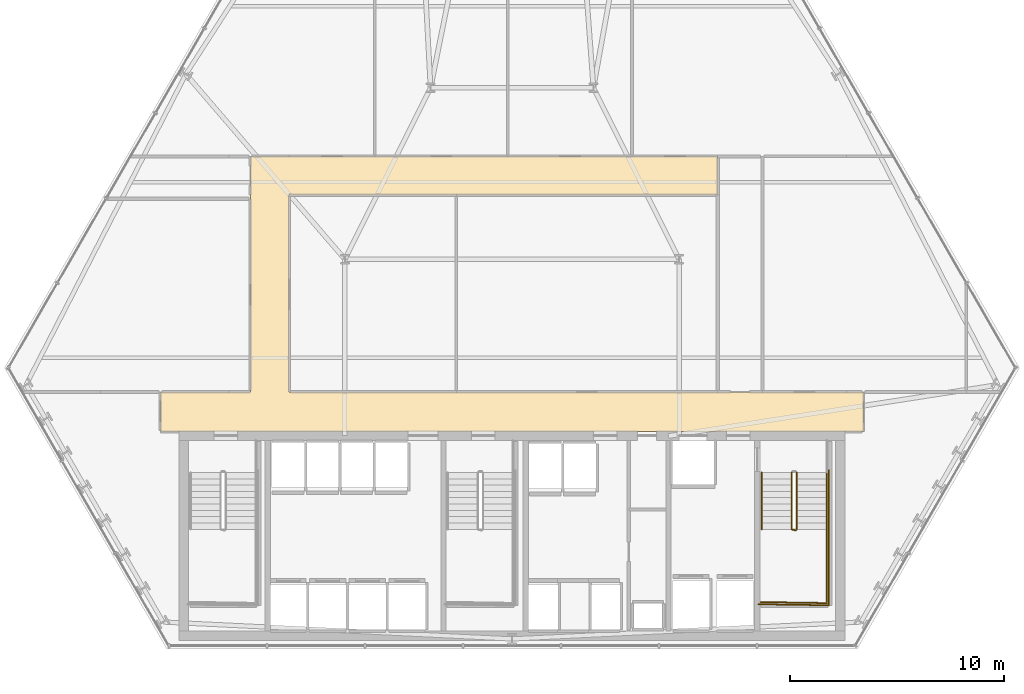
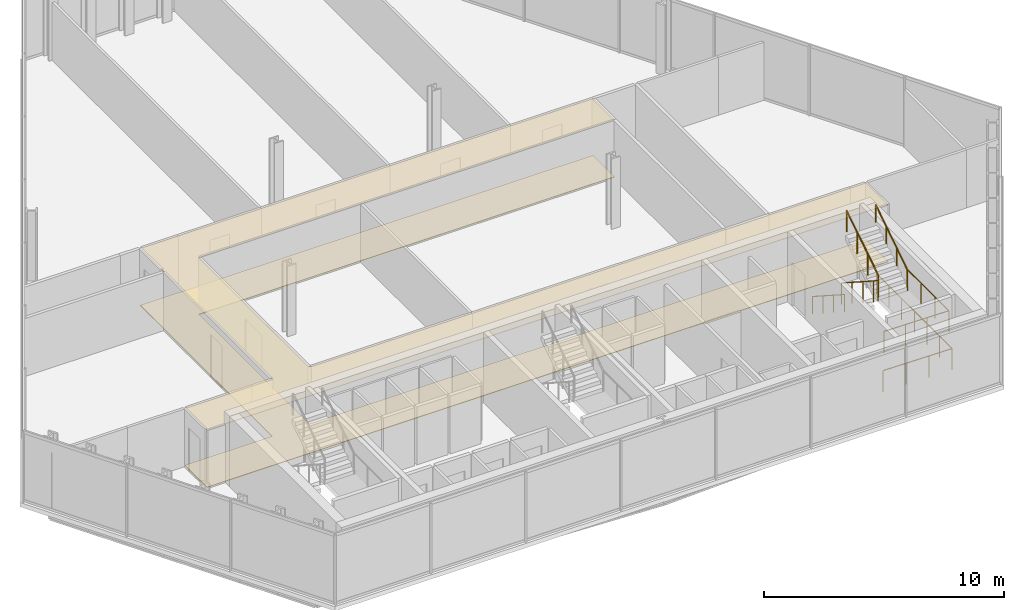
# One storey, part 31 of 32: 6 railings, 2 coverings.
"""IFC4 building model written with IfcOpenShell, lengths in metres."""

from ifc_helpers import new_model, si_unit, direction, frame, origin, origin_2d, place, context, subcontext, project, spatial, polyline, circle, outline, extrude, material, layer, layer_set, type_object, element, save


model = new_model("IFC4")

# Units and contexts
model_context = context("Model", 3, precision=1e-05, world=origin(), true_north=direction((0.0, 1.0)))
body_context = subcontext(model_context, "Body", "Model", "MODEL_VIEW")
ifc_project = project(units=[si_unit("LENGTHUNIT", "METRE"), si_unit("AREAUNIT", "SQUARE_METRE"), si_unit("VOLUMEUNIT", "CUBIC_METRE"), si_unit("PLANEANGLEUNIT", "RADIAN"), si_unit("MASSUNIT", "GRAM", prefix="KILO")], contexts=[model_context])

# Site, building, storey
site_placement = place(None, origin())
site = spatial("IfcSite", under=ifc_project, at=site_placement, CompositionType="ELEMENT")
building_placement = place(site_placement, origin())
building = spatial("IfcBuilding", under=site, at=building_placement, Name="Ndaravel Arena Tower", CompositionType="ELEMENT")
storey_placement = place(building_placement, frame((0.0, 0.0, 74.0)))
storey = spatial("IfcBuildingStorey", under=building, at=storey_placement, Name="L16", CompositionType="ELEMENT", Elevation=74.0)

# Coverings
ifc_material_1 = material(Name="Acoustic Ceiling Tile", Category="finish")
ifc_layer_1 = layer(ifc_material_1, 0.02490234375)
ifc_layer_set_1 = layer_set([ifc_layer_1], Name="Acoustic Ceiling Tile")
covering_type_1 = type_object("IfcCoveringType", Name="COV-CEIL-AC600", PredefinedType="CEILING", material=ifc_layer_set_1)
covering_1_placement = place(storey_placement, frame((0.0, 0.0, 2.919921875)))
element("IfcCovering", 1, at=covering_1_placement, inside=storey, type_object=covering_type_1, Name="L16 Corridor Acoustic Ceiling", PredefinedType="CEILING", context=body_context, shape_type="SweptSolid", body=[
    extrude(outline(polyline([(58.39990234375, 17.0), (31.60009765625, 17.0), (31.60009765625, 26.199951171875), (51.60009765625, 26.199951171875), (51.60009765625, 28.0), (31.60009765625, 28.0), (29.800048828125, 28.0), (29.800048828125, 26.199951171875), (29.800048828125, 17.0), (25.60009765625, 17.0), (25.60009765625, 15.14990234375), (58.39990234375, 15.14990234375), (58.39990234375, 17.0)])), origin(), (0.0, 0.0, 1.0), 0.025146484375),
])
ifc_material_2 = material(Name="Terrazzo", Category="stone")
ifc_layer_2 = layer(ifc_material_2, 0.030029296875)
ifc_layer_set_2 = layer_set([ifc_layer_2], Name="Terrazzo")
covering_type_2 = type_object("IfcCoveringType", Name="COV-FLOOR-TERRAZZO", PredefinedType="FLOORING", material=ifc_layer_set_2)
covering_2_placement = place(storey_placement, origin())
element("IfcCovering", 2, at=covering_2_placement, inside=storey, type_object=covering_type_2, Name="L16 Corridor Terrazzo Flooring", PredefinedType="FLOORING", context=body_context, shape_type="SweptSolid", body=[
    extrude(outline(polyline([(58.39990234375, 17.0), (31.60009765625, 17.0), (31.60009765625, 26.199951171875), (51.60009765625, 26.199951171875), (51.60009765625, 28.0), (31.60009765625, 28.0), (29.800048828125, 28.0), (29.800048828125, 26.199951171875), (29.800048828125, 17.0), (25.60009765625, 17.0), (25.60009765625, 15.14990234375), (58.39990234375, 15.14990234375), (58.39990234375, 17.0)])), origin(), (0.0, 0.0, 1.0), 0.030029296875),
])

# Railings
ifc_material_3 = material(Name="Steel S355", Category="steel")
ifc_layer_3 = layer(ifc_material_3, 0.06005859375)
ifc_layer_set_3 = layer_set([ifc_layer_3], Name="Steel S355")
railing_type_1 = type_object("IfcRailingType", Name="RAIL-STAIR-GD1100", PredefinedType="GUARDRAIL", material=ifc_layer_set_3)
railing_1_placement = place(storey_placement, frame((55.050048828125, 13.25, 0.18994140625)))
element("IfcRailing", 3, at=railing_1_placement, inside=storey, type_object=railing_type_1, Name="L16 ST-3 stair guard 1", PredefinedType="GUARDRAIL", context=body_context, shape_type="SweptSolid", body=[
    extrude(circle(Radius=0.02392578125, at=origin_2d()), frame((0.0, 0.0, 1.076171875), z_axis=(0.0, -0.840723540582, 0.54146461409), x_axis=(1.0, 0.0, 0.0)), (0.0, 0.0, 1.0), 3.157958984375),
    extrude(circle(Radius=0.02392578125, at=origin_2d()), frame((0.0, -2.655029296875, 2.7861328125), z_axis=(0.966993988697, -0.254799187253, 0.0), x_axis=(0.254799187253, 0.966993988697, 0.0)), (0.0, 0.0, 1.0), 0.196533203125),
    extrude(circle(Radius=0.02099609375, at=origin_2d()), origin(), (0.0, 0.0, 1.0), 1.052001953125),
    extrude(circle(Radius=0.02099609375, at=origin_2d()), frame((0.0, -0.885009765625, 0.570068359375)), (0.0, 0.0, 1.0), 1.052001953125),
    extrude(circle(Radius=0.02099609375, at=origin_2d()), frame((0.0, -1.77001953125, 1.139892578125)), (0.0, 0.0, 1.0), 1.052001953125),
    extrude(circle(Radius=0.02099609375, at=origin_2d()), frame((0.0, -2.655029296875, 1.7099609375)), (0.0, 0.0, 1.0), 1.052001953125),
    extrude(circle(Radius=0.02099609375, at=origin_2d()), frame((0.18994140625, -2.705078125, 1.7099609375)), (0.0, 0.0, 1.0), 1.052001953125),
])
railing_2_placement = place(storey_placement, frame((56.68994140625, 10.594970703125, 1.89990234375)))
element("IfcRailing", 4, at=railing_2_placement, inside=storey, type_object=railing_type_1, Name="L16 ST-3 stair guard 2", PredefinedType="GUARDRAIL", context=body_context, shape_type="SweptSolid", body=[
    extrude(circle(Radius=0.02392578125, at=origin_2d()), frame((0.0, 0.0, 1.076171875), z_axis=(0.0, -1.0, 0.0), x_axis=(1.0, 0.0, 0.0)), (0.0, 0.0, 1.0), 3.445068359375),
    extrude(circle(Radius=0.02392578125, at=origin_2d()), frame((0.0, -3.445068359375, 1.076171875), z_axis=(-0.999868840623, 0.016195726322, 0.0), x_axis=(-0.016195726322, -0.999868840623, 0.0)), (0.0, 0.0, 1.0), 3.09033203125),
    extrude(circle(Radius=0.02099609375, at=origin_2d()), origin(), (0.0, 0.0, 1.0), 1.052001953125),
    extrude(circle(Radius=0.02099609375, at=origin_2d()), frame((0.0, -1.1484375, 0.0)), (0.0, 0.0, 1.0), 1.052001953125),
    extrude(circle(Radius=0.02099609375, at=origin_2d()), frame((0.0, -2.296630859375, 0.0)), (0.0, 0.0, 1.0), 1.052001953125),
    extrude(circle(Radius=0.02099609375, at=origin_2d()), frame((0.0, -3.445068359375, 0.0)), (0.0, 0.0, 1.0), 1.052001953125),
    extrude(circle(Radius=0.02099609375, at=origin_2d()), frame((-1.030029296875, -3.428466796875, 0.0)), (0.0, 0.0, 1.0), 1.052001953125),
    extrude(circle(Radius=0.02099609375, at=origin_2d()), frame((-2.059814453125, -3.41162109375, 0.0)), (0.0, 0.0, 1.0), 1.052001953125),
    extrude(circle(Radius=0.02099609375, at=origin_2d()), frame((-3.08984375, -3.39501953125, 0.0)), (0.0, 0.0, 1.0), 1.052001953125),
])
railing_3_placement = place(storey_placement, frame((55.2900390625, 10.594970703125, 2.090087890625)))
element("IfcRailing", 5, at=railing_3_placement, inside=storey, type_object=railing_type_1, Name="L16 ST-3 stair guard 3", PredefinedType="GUARDRAIL", context=body_context, shape_type="SweptSolid", body=[
    extrude(circle(Radius=0.02392578125, at=origin_2d()), frame((0.0, 0.0, 1.076171875), z_axis=(0.0, 0.840723540582, 0.54146461409), x_axis=(-1.0, 0.0, 0.0)), (0.0, 0.0, 1.0), 3.157958984375),
    extrude(circle(Radius=0.02099609375, at=origin_2d()), origin(), (0.0, 0.0, 1.0), 1.052001953125),
    extrude(circle(Radius=0.02099609375, at=origin_2d()), frame((0.0, 0.885009765625, 0.570068359375)), (0.0, 0.0, 1.0), 1.052001953125),
    extrude(circle(Radius=0.02099609375, at=origin_2d()), frame((0.0, 1.77001953125, 1.139892578125)), (0.0, 0.0, 1.0), 1.052001953125),
    extrude(circle(Radius=0.02099609375, at=origin_2d()), frame((0.0, 2.655029296875, 1.7099609375)), (0.0, 0.0, 1.0), 1.052001953125),
])
railing_4_placement = place(storey_placement, frame((56.7900390625, 13.35009765625, 0.0)))
element("IfcRailing", 6, at=railing_4_placement, inside=storey, type_object=railing_type_1, Name="L16 ST-3 stair guard 6", PredefinedType="GUARDRAIL", context=body_context, shape_type="SweptSolid", body=[
    extrude(circle(Radius=0.02392578125, at=origin_2d()), frame((0.0, 0.0, 1.076171875), z_axis=(0.0, -1.0, 0.0), x_axis=(1.0, 0.0, 0.0)), (0.0, 0.0, 1.0), 6.300048828125),
    extrude(circle(Radius=0.02392578125, at=origin_2d()), frame((0.0, -6.300048828125, 1.076171875), z_axis=(-0.99988431412, 0.015210469308, 0.0), x_axis=(-0.015210469308, -0.99988431412, 0.0)), (0.0, 0.0, 1.0), 3.29052734375),
    extrude(circle(Radius=0.02099609375, at=origin_2d()), origin(), (0.0, 0.0, 1.0), 1.052001953125),
    extrude(circle(Radius=0.02099609375, at=origin_2d()), frame((0.0, -1.050048828125, 0.0)), (0.0, 0.0, 1.0), 1.052001953125),
    extrude(circle(Radius=0.02099609375, at=origin_2d()), frame((0.0, -2.10009765625, 0.0)), (0.0, 0.0, 1.0), 1.052001953125),
    extrude(circle(Radius=0.02099609375, at=origin_2d()), frame((0.0, -3.14990234375, 0.0)), (0.0, 0.0, 1.0), 1.052001953125),
    extrude(circle(Radius=0.02099609375, at=origin_2d()), frame((0.0, -4.199951171875, 0.0)), (0.0, 0.0, 1.0), 1.052001953125),
    extrude(circle(Radius=0.02099609375, at=origin_2d()), frame((0.0, -5.25, 0.0)), (0.0, 0.0, 1.0), 1.052001953125),
    extrude(circle(Radius=0.02099609375, at=origin_2d()), frame((0.0, -6.300048828125, 0.0)), (0.0, 0.0, 1.0), 1.052001953125),
    extrude(circle(Radius=0.02099609375, at=origin_2d()), frame((-1.0966796875, -6.283447265625, 0.0)), (0.0, 0.0, 1.0), 1.052001953125),
    extrude(circle(Radius=0.02099609375, at=origin_2d()), frame((-2.193359375, -6.2666015625, 0.0)), (0.0, 0.0, 1.0), 1.052001953125),
    extrude(circle(Radius=0.02099609375, at=origin_2d()), frame((-3.2900390625, -6.25, 0.0)), (0.0, 0.0, 1.0), 1.052001953125),
])
ifc_material_4 = material(Name="Steel S355", Category="steel")
ifc_layer_4 = layer(ifc_material_4, 0.050048828125)
ifc_layer_set_4 = layer_set([ifc_layer_4], Name="Steel S355")
railing_type_2 = type_object("IfcRailingType", Name="RAIL-STAIR-HR920", PredefinedType="HANDRAIL", material=ifc_layer_set_4)
railing_5_placement = place(storey_placement, frame((53.64990234375, 13.25, 0.18994140625)))
element("IfcRailing", 7, at=railing_5_placement, inside=storey, type_object=railing_type_2, Name="L16 ST-3 stair handrail 1", PredefinedType="HANDRAIL", context=body_context, shape_type="SweptSolid", body=[
    extrude(circle(Radius=0.02392578125, at=origin_2d()), frame((0.0, 0.0, 0.8759765625), z_axis=(0.0, -0.840723540582, 0.54146461409), x_axis=(1.0, 0.0, 0.0)), (0.0, 0.0, 1.0), 3.157958984375),
    extrude(circle(Radius=0.02099609375, at=origin_2d()), origin(), (0.0, 0.0, 1.0), 0.851806640625),
    extrude(circle(Radius=0.02099609375, at=origin_2d()), frame((0.0, -0.885009765625, 0.570068359375)), (0.0, 0.0, 1.0), 0.851806640625),
    extrude(circle(Radius=0.02099609375, at=origin_2d()), frame((0.0, -1.77001953125, 1.139892578125)), (0.0, 0.0, 1.0), 0.851806640625),
    extrude(circle(Radius=0.02099609375, at=origin_2d()), frame((0.0, -2.655029296875, 1.7099609375)), (0.0, 0.0, 1.0), 0.851806640625),
])
railing_6_placement = place(storey_placement, frame((56.68994140625, 10.594970703125, 2.090087890625)))
element("IfcRailing", 8, at=railing_6_placement, inside=storey, type_object=railing_type_2, Name="L16 ST-3 stair handrail 2", PredefinedType="HANDRAIL", context=body_context, shape_type="SweptSolid", body=[
    extrude(circle(Radius=0.02392578125, at=origin_2d()), frame((0.0, 0.0, 0.8759765625), z_axis=(0.0, 0.840723540582, 0.54146461409), x_axis=(-1.0, 0.0, 0.0)), (0.0, 0.0, 1.0), 3.157958984375),
    extrude(circle(Radius=0.02099609375, at=origin_2d()), origin(), (0.0, 0.0, 1.0), 0.851806640625),
    extrude(circle(Radius=0.02099609375, at=origin_2d()), frame((0.0, 0.885009765625, 0.570068359375)), (0.0, 0.0, 1.0), 0.851806640625),
    extrude(circle(Radius=0.02099609375, at=origin_2d()), frame((0.0, 1.77001953125, 1.139892578125)), (0.0, 0.0, 1.0), 0.851806640625),
    extrude(circle(Radius=0.02099609375, at=origin_2d()), frame((0.0, 2.655029296875, 1.7099609375)), (0.0, 0.0, 1.0), 0.851806640625),
])

save(model, "model.ifc")
